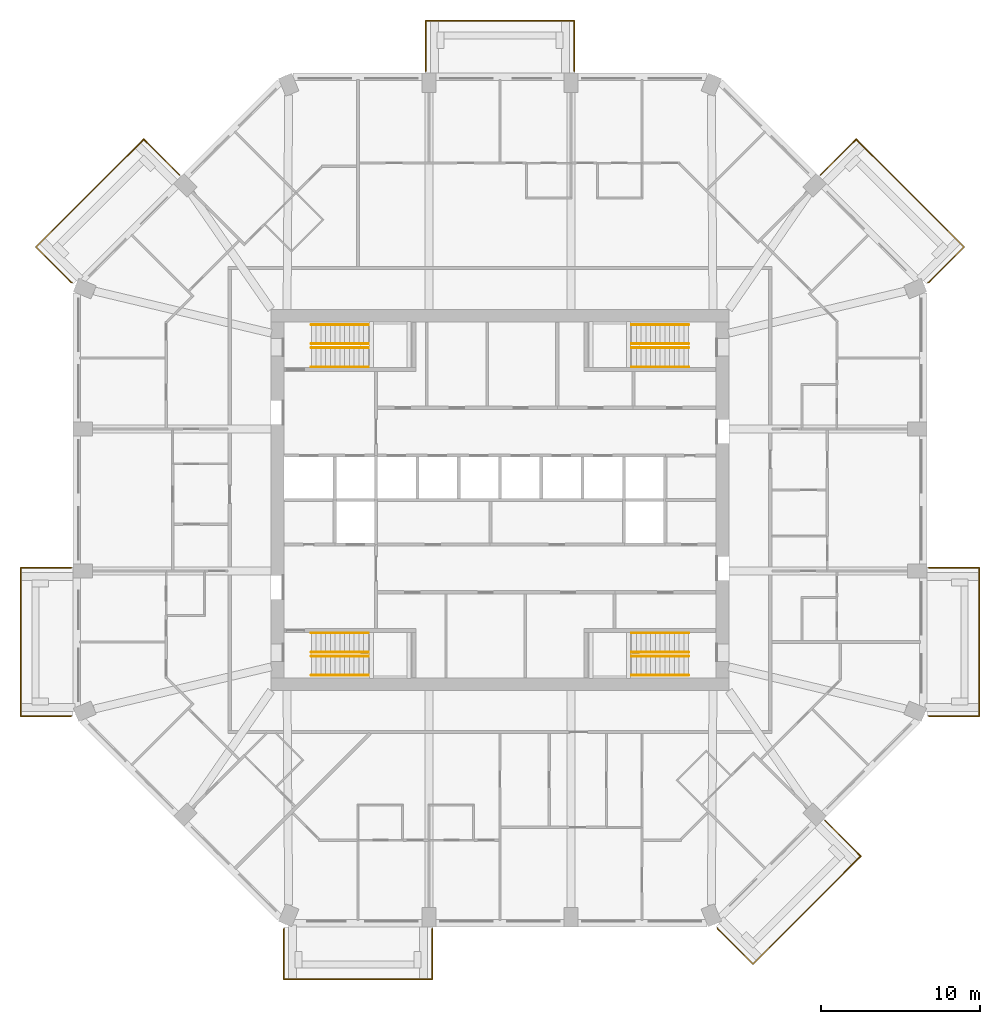
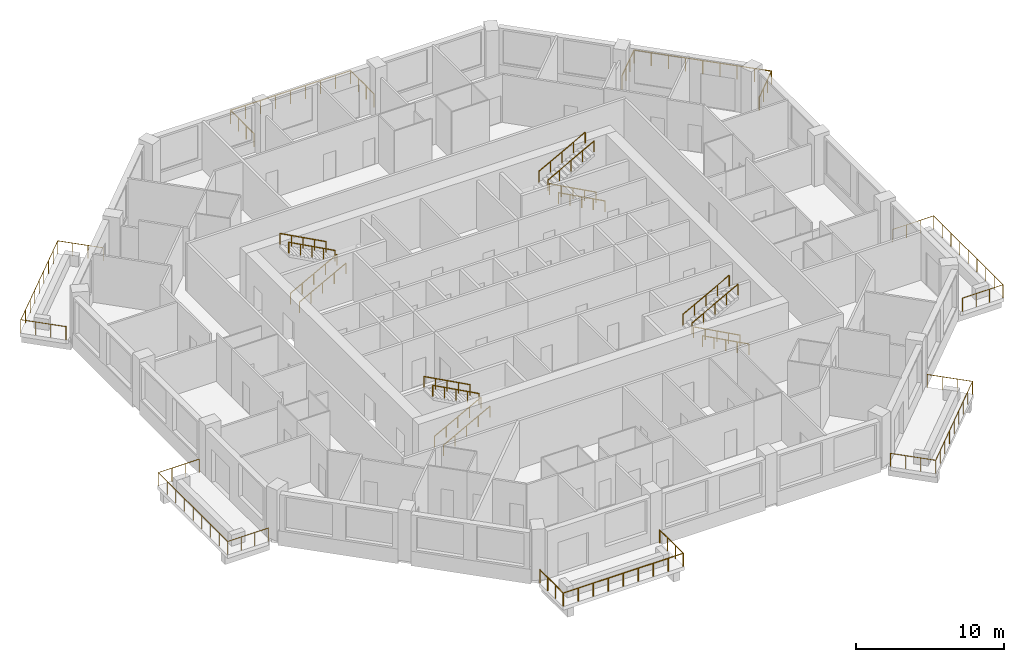
# One storey, part 12 of 12: 23 railings.
"""IFC4 building model written with IfcOpenShell, lengths in metres."""

from ifc_helpers import new_model, si_unit, direction, frame, origin, origin_2d, place, context, subcontext, project, spatial, circle, extrude, material, constituent, constituent_set, type_object, element, save


model = new_model("IFC4")

# Units and contexts
model_context = context("Model", 3, precision=1e-05, world=origin(), true_north=direction((0.0, 1.0)))
body_context = subcontext(model_context, "Body", "Model", "MODEL_VIEW")
ifc_project = project(units=[si_unit("LENGTHUNIT", "METRE"), si_unit("AREAUNIT", "SQUARE_METRE"), si_unit("VOLUMEUNIT", "CUBIC_METRE"), si_unit("PLANEANGLEUNIT", "RADIAN"), si_unit("MASSUNIT", "GRAM", prefix="KILO")], contexts=[model_context])

# Site, building, storey
site_placement = place(None, origin())
site = spatial("IfcSite", under=ifc_project, at=site_placement, CompositionType="ELEMENT")
building_placement = place(site_placement, origin())
building = spatial("IfcBuilding", under=site, at=building_placement, Name="Msitu Wima Residences", CompositionType="ELEMENT")
storey_placement = place(building_placement, frame((0.0, 0.0, 119.10009765625)))
storey = spatial("IfcBuildingStorey", under=building, at=storey_placement, Name="L27", CompositionType="ELEMENT", Elevation=119.10009765625)

# Railings
ifc_material_1 = material(Name="Steel S355", Category="steel")
ifc_constituent_1 = constituent(ifc_material_1, Name="Steel S355")
ifc_material_2 = material(Name="Weathering patina")
ifc_constituent_2 = constituent(ifc_material_2, Name="Weathering patina")
ifc_constituent_set_1 = constituent_set(constituents=[ifc_constituent_1, ifc_constituent_2], Name="Steel S355")
railing_type_1 = type_object("IfcRailingType", Name="Balcony guard GR1100", PredefinedType="GUARDRAIL", material=ifc_constituent_set_1)
railing_1_placement = place(storey_placement, frame((26.97998046875, -4.2685546875, 0.0)))
element("IfcRailing", 1, at=railing_1_placement, inside=storey, type_object=railing_type_1, Name="Balcony guard E0 L27", PredefinedType="GUARDRAIL", context=body_context, shape_type="SweptSolid", body=[
    extrude(circle(Radius=0.02392578125, at=origin_2d()), frame((0.0, 0.0, 1.076171875), z_axis=(1.0, 0.0, 0.0), x_axis=(0.0, 1.0, 0.0)), (0.0, 0.0, 1.0), 3.169921875),
    extrude(circle(Radius=0.02392578125, at=origin_2d()), frame((3.169921875, 0.0, 1.076171875), z_axis=(0.0, -1.0, 0.0), x_axis=(1.0, 0.0, 0.0)), (0.0, 0.0, 1.0), 9.33740234375),
    extrude(circle(Radius=0.02392578125, at=origin_2d()), frame((3.169921875, -9.33740234375, 1.076171875), z_axis=(-1.0, 0.0, 0.0), x_axis=(0.0, -1.0, 0.0)), (0.0, 0.0, 1.0), 3.136474609375),
    extrude(circle(Radius=0.02392578125, at=origin_2d()), frame((0.033447265625, -9.33740234375, 1.076171875), z_axis=(-0.923276184907, 0.384136806859, 0.0), x_axis=(-0.384136806859, -0.923276184907, 0.0)), (0.0, 0.0, 1.0), 0.0361328125),
    extrude(circle(Radius=0.02099609375, at=origin_2d()), origin(), (0.0, 0.0, 1.0), 1.052001953125),
    extrude(circle(Radius=0.02099609375, at=origin_2d()), frame((1.056640625, 0.0, 0.0)), (0.0, 0.0, 1.0), 1.052001953125),
    extrude(circle(Radius=0.02099609375, at=origin_2d()), frame((2.11328125, 0.0, 0.0)), (0.0, 0.0, 1.0), 1.052001953125),
    extrude(circle(Radius=0.02099609375, at=origin_2d()), frame((3.169921875, 0.0, 0.0)), (0.0, 0.0, 1.0), 1.052001953125),
    extrude(circle(Radius=0.02099609375, at=origin_2d()), frame((3.169921875, -1.167236328125, 0.0)), (0.0, 0.0, 1.0), 1.052001953125),
    extrude(circle(Radius=0.02099609375, at=origin_2d()), frame((3.169921875, -2.33447265625, 0.0)), (0.0, 0.0, 1.0), 1.052001953125),
    extrude(circle(Radius=0.02099609375, at=origin_2d()), frame((3.169921875, -3.50146484375, 0.0)), (0.0, 0.0, 1.0), 1.052001953125),
    extrude(circle(Radius=0.02099609375, at=origin_2d()), frame((3.169921875, -4.668701171875, 0.0)), (0.0, 0.0, 1.0), 1.052001953125),
    extrude(circle(Radius=0.02099609375, at=origin_2d()), frame((3.169921875, -5.8359375, 0.0)), (0.0, 0.0, 1.0), 1.052001953125),
    extrude(circle(Radius=0.02099609375, at=origin_2d()), frame((3.169921875, -7.0029296875, 0.0)), (0.0, 0.0, 1.0), 1.052001953125),
    extrude(circle(Radius=0.02099609375, at=origin_2d()), frame((3.169921875, -8.170166015625, 0.0)), (0.0, 0.0, 1.0), 1.052001953125),
    extrude(circle(Radius=0.02099609375, at=origin_2d()), frame((3.169921875, -9.33740234375, 0.0)), (0.0, 0.0, 1.0), 1.052001953125),
    extrude(circle(Radius=0.02099609375, at=origin_2d()), frame((2.12451171875, -9.33740234375, 0.0)), (0.0, 0.0, 1.0), 1.052001953125),
    extrude(circle(Radius=0.02099609375, at=origin_2d()), frame((1.078857421875, -9.33740234375, 0.0)), (0.0, 0.0, 1.0), 1.052001953125),
    extrude(circle(Radius=0.02099609375, at=origin_2d()), frame((0.033447265625, -9.33740234375, 0.0)), (0.0, 0.0, 1.0), 1.052001953125),
    extrude(circle(Radius=0.02099609375, at=origin_2d()), frame((0.0, -9.323486328125, 0.0)), (0.0, 0.0, 1.0), 1.052001953125),
])
railing_2_placement = place(storey_placement, frame((20.171630859375, 20.45458984375, 0.0)))
element("IfcRailing", 2, at=railing_2_placement, inside=storey, type_object=railing_type_1, Name="Balcony guard NE0 L27", PredefinedType="GUARDRAIL", context=body_context, shape_type="SweptSolid", body=[
    extrude(circle(Radius=0.02392578125, at=origin_2d()), frame((0.0, 0.0, 1.076171875), z_axis=(0.707106781187, 0.707106781187, 0.0), x_axis=(-0.707106781187, 0.707106781187, 0.0)), (0.0, 0.0, 1.0), 3.169921875),
    extrude(circle(Radius=0.02392578125, at=origin_2d()), frame((2.241455078125, 2.241455078125, 1.076171875), z_axis=(0.707106781187, -0.707106781187, 0.0), x_axis=(0.707106781187, 0.707106781187, 0.0)), (0.0, 0.0, 1.0), 9.58837890625),
    extrude(circle(Radius=0.02392578125, at=origin_2d()), frame((9.021484375, -4.53857421875, 1.076171875), z_axis=(-0.707106781187, -0.707106781187, 0.0), x_axis=(0.707106781187, -0.707106781187, 0.0)), (0.0, 0.0, 1.0), 3.136474609375),
    extrude(circle(Radius=0.02392578125, at=origin_2d()), frame((6.8037109375, -6.75634765625, 1.076171875), z_axis=(-0.92426142649, -0.38176015442, 0.0), x_axis=(0.38176015442, -0.92426142649, 0.0)), (0.0, 0.0, 1.0), 0.036376953125),
    extrude(circle(Radius=0.02099609375, at=origin_2d()), origin(), (0.0, 0.0, 1.0), 1.052001953125),
    extrude(circle(Radius=0.02099609375, at=origin_2d()), frame((0.7470703125, 0.7470703125, 0.0)), (0.0, 0.0, 1.0), 1.052001953125),
    extrude(circle(Radius=0.02099609375, at=origin_2d()), frame((1.494384765625, 1.494384765625, 0.0)), (0.0, 0.0, 1.0), 1.052001953125),
    extrude(circle(Radius=0.02099609375, at=origin_2d()), frame((2.241455078125, 2.241455078125, 0.0)), (0.0, 0.0, 1.0), 1.052001953125),
    extrude(circle(Radius=0.02099609375, at=origin_2d()), frame((3.0888671875, 1.39404296875, 0.0)), (0.0, 0.0, 1.0), 1.052001953125),
    extrude(circle(Radius=0.02099609375, at=origin_2d()), frame((3.9365234375, 0.54638671875, 0.0)), (0.0, 0.0, 1.0), 1.052001953125),
    extrude(circle(Radius=0.02099609375, at=origin_2d()), frame((4.783935546875, -0.301025390625, 0.0)), (0.0, 0.0, 1.0), 1.052001953125),
    extrude(circle(Radius=0.02099609375, at=origin_2d()), frame((5.63134765625, -1.1484375, 0.0)), (0.0, 0.0, 1.0), 1.052001953125),
    extrude(circle(Radius=0.02099609375, at=origin_2d()), frame((6.47900390625, -1.99609375, 0.0)), (0.0, 0.0, 1.0), 1.052001953125),
    extrude(circle(Radius=0.02099609375, at=origin_2d()), frame((7.326416015625, -2.843505859375, 0.0)), (0.0, 0.0, 1.0), 1.052001953125),
    extrude(circle(Radius=0.02099609375, at=origin_2d()), frame((8.174072265625, -3.691162109375, 0.0)), (0.0, 0.0, 1.0), 1.052001953125),
    extrude(circle(Radius=0.02099609375, at=origin_2d()), frame((9.021484375, -4.53857421875, 0.0)), (0.0, 0.0, 1.0), 1.052001953125),
    extrude(circle(Radius=0.02099609375, at=origin_2d()), frame((8.2822265625, -5.27783203125, 0.0)), (0.0, 0.0, 1.0), 1.052001953125),
    extrude(circle(Radius=0.02099609375, at=origin_2d()), frame((7.54296875, -6.01708984375, 0.0)), (0.0, 0.0, 1.0), 1.052001953125),
    extrude(circle(Radius=0.02099609375, at=origin_2d()), frame((6.8037109375, -6.75634765625, 0.0)), (0.0, 0.0, 1.0), 1.052001953125),
    extrude(circle(Radius=0.02099609375, at=origin_2d()), frame((6.77001953125, -6.770263671875, 0.0)), (0.0, 0.0, 1.0), 1.052001953125),
])
railing_3_placement = place(storey_placement, frame((-4.668701171875, 26.97998046875, 0.0)))
element("IfcRailing", 3, at=railing_3_placement, inside=storey, type_object=railing_type_1, Name="Balcony guard N1 L27", PredefinedType="GUARDRAIL", context=body_context, shape_type="SweptSolid", body=[
    extrude(circle(Radius=0.02392578125, at=origin_2d()), frame((0.0, 0.0, 1.076171875), z_axis=(0.0, 1.0, 0.0), x_axis=(-1.0, 0.0, 0.0)), (0.0, 0.0, 1.0), 3.169921875),
    extrude(circle(Radius=0.02392578125, at=origin_2d()), frame((0.0, 3.169921875, 1.076171875), z_axis=(1.0, 0.0, 0.0), x_axis=(0.0, 1.0, 0.0)), (0.0, 0.0, 1.0), 9.33740234375),
    extrude(circle(Radius=0.02392578125, at=origin_2d()), frame((9.33740234375, 3.169921875, 1.076171875), z_axis=(0.0, -1.0, 0.0), x_axis=(1.0, 0.0, 0.0)), (0.0, 0.0, 1.0), 3.169921875),
    extrude(circle(Radius=0.02099609375, at=origin_2d()), origin(), (0.0, 0.0, 1.0), 1.052001953125),
    extrude(circle(Radius=0.02099609375, at=origin_2d()), frame((0.0, 1.056640625, 0.0)), (0.0, 0.0, 1.0), 1.052001953125),
    extrude(circle(Radius=0.02099609375, at=origin_2d()), frame((0.0, 2.11328125, 0.0)), (0.0, 0.0, 1.0), 1.052001953125),
    extrude(circle(Radius=0.02099609375, at=origin_2d()), frame((0.0, 3.169921875, 0.0)), (0.0, 0.0, 1.0), 1.052001953125),
    extrude(circle(Radius=0.02099609375, at=origin_2d()), frame((1.167236328125, 3.169921875, 0.0)), (0.0, 0.0, 1.0), 1.052001953125),
    extrude(circle(Radius=0.02099609375, at=origin_2d()), frame((2.33447265625, 3.169921875, 0.0)), (0.0, 0.0, 1.0), 1.052001953125),
    extrude(circle(Radius=0.02099609375, at=origin_2d()), frame((3.50146484375, 3.169921875, 0.0)), (0.0, 0.0, 1.0), 1.052001953125),
    extrude(circle(Radius=0.02099609375, at=origin_2d()), frame((4.668701171875, 3.169921875, 0.0)), (0.0, 0.0, 1.0), 1.052001953125),
    extrude(circle(Radius=0.02099609375, at=origin_2d()), frame((5.8359375, 3.169921875, 0.0)), (0.0, 0.0, 1.0), 1.052001953125),
    extrude(circle(Radius=0.02099609375, at=origin_2d()), frame((7.0029296875, 3.169921875, 0.0)), (0.0, 0.0, 1.0), 1.052001953125),
    extrude(circle(Radius=0.02099609375, at=origin_2d()), frame((8.170166015625, 3.169921875, 0.0)), (0.0, 0.0, 1.0), 1.052001953125),
    extrude(circle(Radius=0.02099609375, at=origin_2d()), frame((9.33740234375, 3.169921875, 0.0)), (0.0, 0.0, 1.0), 1.052001953125),
    extrude(circle(Radius=0.02099609375, at=origin_2d()), frame((9.33740234375, 2.11328125, 0.0)), (0.0, 0.0, 1.0), 1.052001953125),
    extrude(circle(Radius=0.02099609375, at=origin_2d()), frame((9.33740234375, 1.056640625, 0.0)), (0.0, 0.0, 1.0), 1.052001953125),
    extrude(circle(Radius=0.02099609375, at=origin_2d()), frame((9.33740234375, 0.0, 0.0)), (0.0, 0.0, 1.0), 1.052001953125),
])
railing_4_placement = place(storey_placement, frame((-26.941650390625, 13.684326171875, 0.0)))
element("IfcRailing", 4, at=railing_4_placement, inside=storey, type_object=railing_type_1, Name="Balcony guard NW1 L27", PredefinedType="GUARDRAIL", context=body_context, shape_type="SweptSolid", body=[
    extrude(circle(Radius=0.02392578125, at=origin_2d()), frame((0.0, 0.0, 1.076171875), z_axis=(-0.92426142649, 0.38176015442, 0.0), x_axis=(-0.38176015442, -0.92426142649, 0.0)), (0.0, 0.0, 1.0), 0.036376953125),
    extrude(circle(Radius=0.02392578125, at=origin_2d()), frame((-0.03369140625, 0.013916015625, 1.076171875), z_axis=(-0.707106781187, 0.707106781187, 0.0), x_axis=(-0.707106781187, -0.707106781187, 0.0)), (0.0, 0.0, 1.0), 3.136474609375),
    extrude(circle(Radius=0.02392578125, at=origin_2d()), frame((-2.25146484375, 2.231689453125, 1.076171875), z_axis=(0.707106781187, 0.707106781187, 0.0), x_axis=(-0.707106781187, 0.707106781187, 0.0)), (0.0, 0.0, 1.0), 9.58837890625),
    extrude(circle(Radius=0.02392578125, at=origin_2d()), frame((4.528564453125, 9.01171875, 1.076171875), z_axis=(0.707106781187, -0.707106781187, 0.0), x_axis=(0.707106781187, 0.707106781187, 0.0)), (0.0, 0.0, 1.0), 3.169921875),
    extrude(circle(Radius=0.02099609375, at=origin_2d()), origin(), (0.0, 0.0, 1.0), 1.052001953125),
    extrude(circle(Radius=0.02099609375, at=origin_2d()), frame((-0.03369140625, 0.013916015625, 0.0)), (0.0, 0.0, 1.0), 1.052001953125),
    extrude(circle(Radius=0.02099609375, at=origin_2d()), frame((-0.77294921875, 0.753173828125, 0.0)), (0.0, 0.0, 1.0), 1.052001953125),
    extrude(circle(Radius=0.02099609375, at=origin_2d()), frame((-1.51220703125, 1.492431640625, 0.0)), (0.0, 0.0, 1.0), 1.052001953125),
    extrude(circle(Radius=0.02099609375, at=origin_2d()), frame((-2.25146484375, 2.231689453125, 0.0)), (0.0, 0.0, 1.0), 1.052001953125),
    extrude(circle(Radius=0.02099609375, at=origin_2d()), frame((-1.404052734375, 3.0791015625, 0.0)), (0.0, 0.0, 1.0), 1.052001953125),
    extrude(circle(Radius=0.02099609375, at=origin_2d()), frame((-0.556396484375, 3.9267578125, 0.0)), (0.0, 0.0, 1.0), 1.052001953125),
    extrude(circle(Radius=0.02099609375, at=origin_2d()), frame((0.291015625, 4.774169921875, 0.0)), (0.0, 0.0, 1.0), 1.052001953125),
    extrude(circle(Radius=0.02099609375, at=origin_2d()), frame((1.138671875, 5.62158203125, 0.0)), (0.0, 0.0, 1.0), 1.052001953125),
    extrude(circle(Radius=0.02099609375, at=origin_2d()), frame((1.986083984375, 6.46923828125, 0.0)), (0.0, 0.0, 1.0), 1.052001953125),
    extrude(circle(Radius=0.02099609375, at=origin_2d()), frame((2.83349609375, 7.316650390625, 0.0)), (0.0, 0.0, 1.0), 1.052001953125),
    extrude(circle(Radius=0.02099609375, at=origin_2d()), frame((3.68115234375, 8.164306640625, 0.0)), (0.0, 0.0, 1.0), 1.052001953125),
    extrude(circle(Radius=0.02099609375, at=origin_2d()), frame((4.528564453125, 9.01171875, 0.0)), (0.0, 0.0, 1.0), 1.052001953125),
    extrude(circle(Radius=0.02099609375, at=origin_2d()), frame((5.275634765625, 8.2646484375, 0.0)), (0.0, 0.0, 1.0), 1.052001953125),
    extrude(circle(Radius=0.02099609375, at=origin_2d()), frame((6.02294921875, 7.517333984375, 0.0)), (0.0, 0.0, 1.0), 1.052001953125),
    extrude(circle(Radius=0.02099609375, at=origin_2d()), frame((6.77001953125, 6.770263671875, 0.0)), (0.0, 0.0, 1.0), 1.052001953125),
])
railing_5_placement = place(storey_placement, frame((-26.97998046875, -13.592041015625, 0.0)))
element("IfcRailing", 5, at=railing_5_placement, inside=storey, type_object=railing_type_1, Name="Balcony guard W2 L27", PredefinedType="GUARDRAIL", context=body_context, shape_type="SweptSolid", body=[
    extrude(circle(Radius=0.02392578125, at=origin_2d()), frame((0.0, 0.0, 1.076171875), z_axis=(-0.923276184907, -0.384136806859, 0.0), x_axis=(0.384136806859, -0.923276184907, 0.0)), (0.0, 0.0, 1.0), 0.0361328125),
    extrude(circle(Radius=0.02392578125, at=origin_2d()), frame((-0.033447265625, -0.013916015625, 1.076171875), z_axis=(-1.0, 0.0, 0.0), x_axis=(0.0, -1.0, 0.0)), (0.0, 0.0, 1.0), 3.136474609375),
    extrude(circle(Radius=0.02392578125, at=origin_2d()), frame((-3.169921875, -0.013916015625, 1.076171875), z_axis=(0.0, 1.0, 0.0), x_axis=(-1.0, 0.0, 0.0)), (0.0, 0.0, 1.0), 9.33740234375),
    extrude(circle(Radius=0.02392578125, at=origin_2d()), frame((-3.169921875, 9.323486328125, 1.076171875), z_axis=(1.0, 0.0, 0.0), x_axis=(0.0, 1.0, 0.0)), (0.0, 0.0, 1.0), 3.169921875),
    extrude(circle(Radius=0.02099609375, at=origin_2d()), origin(), (0.0, 0.0, 1.0), 1.052001953125),
    extrude(circle(Radius=0.02099609375, at=origin_2d()), frame((-0.033447265625, -0.013916015625, 0.0)), (0.0, 0.0, 1.0), 1.052001953125),
    extrude(circle(Radius=0.02099609375, at=origin_2d()), frame((-1.078857421875, -0.013916015625, 0.0)), (0.0, 0.0, 1.0), 1.052001953125),
    extrude(circle(Radius=0.02099609375, at=origin_2d()), frame((-2.12451171875, -0.013916015625, 0.0)), (0.0, 0.0, 1.0), 1.052001953125),
    extrude(circle(Radius=0.02099609375, at=origin_2d()), frame((-3.169921875, -0.013916015625, 0.0)), (0.0, 0.0, 1.0), 1.052001953125),
    extrude(circle(Radius=0.02099609375, at=origin_2d()), frame((-3.169921875, 1.1533203125, 0.0)), (0.0, 0.0, 1.0), 1.052001953125),
    extrude(circle(Radius=0.02099609375, at=origin_2d()), frame((-3.169921875, 2.3203125, 0.0)), (0.0, 0.0, 1.0), 1.052001953125),
    extrude(circle(Radius=0.02099609375, at=origin_2d()), frame((-3.169921875, 3.487548828125, 0.0)), (0.0, 0.0, 1.0), 1.052001953125),
    extrude(circle(Radius=0.02099609375, at=origin_2d()), frame((-3.169921875, 4.65478515625, 0.0)), (0.0, 0.0, 1.0), 1.052001953125),
    extrude(circle(Radius=0.02099609375, at=origin_2d()), frame((-3.169921875, 5.822021484375, 0.0)), (0.0, 0.0, 1.0), 1.052001953125),
    extrude(circle(Radius=0.02099609375, at=origin_2d()), frame((-3.169921875, 6.9892578125, 0.0)), (0.0, 0.0, 1.0), 1.052001953125),
    extrude(circle(Radius=0.02099609375, at=origin_2d()), frame((-3.169921875, 8.15625, 0.0)), (0.0, 0.0, 1.0), 1.052001953125),
    extrude(circle(Radius=0.02099609375, at=origin_2d()), frame((-3.169921875, 9.323486328125, 0.0)), (0.0, 0.0, 1.0), 1.052001953125),
    extrude(circle(Radius=0.02099609375, at=origin_2d()), frame((-2.11328125, 9.323486328125, 0.0)), (0.0, 0.0, 1.0), 1.052001953125),
    extrude(circle(Radius=0.02099609375, at=origin_2d()), frame((-1.056640625, 9.323486328125, 0.0)), (0.0, 0.0, 1.0), 1.052001953125),
    extrude(circle(Radius=0.02099609375, at=origin_2d()), frame((0.0, 9.323486328125, 0.0)), (0.0, 0.0, 1.0), 1.052001953125),
])
railing_6_placement = place(storey_placement, frame((-4.2685546875, -26.97998046875, 0.0)))
element("IfcRailing", 6, at=railing_6_placement, inside=storey, type_object=railing_type_1, Name="Balcony guard S0 L27", PredefinedType="GUARDRAIL", context=body_context, shape_type="SweptSolid", body=[
    extrude(circle(Radius=0.02392578125, at=origin_2d()), frame((0.0, 0.0, 1.076171875), z_axis=(0.0, -1.0, 0.0), x_axis=(1.0, 0.0, 0.0)), (0.0, 0.0, 1.0), 3.169921875),
    extrude(circle(Radius=0.02392578125, at=origin_2d()), frame((0.0, -3.169921875, 1.076171875), z_axis=(-1.0, 0.0, 0.0), x_axis=(0.0, -1.0, 0.0)), (0.0, 0.0, 1.0), 9.33740234375),
    extrude(circle(Radius=0.02392578125, at=origin_2d()), frame((-9.33740234375, -3.169921875, 1.076171875), z_axis=(0.0, 1.0, 0.0), x_axis=(-1.0, 0.0, 0.0)), (0.0, 0.0, 1.0), 3.136474609375),
    extrude(circle(Radius=0.02392578125, at=origin_2d()), frame((-9.33740234375, -0.033447265625, 1.076171875), z_axis=(0.384136806859, 0.923276184907, 0.0), x_axis=(-0.923276184907, 0.384136806859, 0.0)), (0.0, 0.0, 1.0), 0.0361328125),
    extrude(circle(Radius=0.02099609375, at=origin_2d()), origin(), (0.0, 0.0, 1.0), 1.052001953125),
    extrude(circle(Radius=0.02099609375, at=origin_2d()), frame((0.0, -1.056640625, 0.0)), (0.0, 0.0, 1.0), 1.052001953125),
    extrude(circle(Radius=0.02099609375, at=origin_2d()), frame((0.0, -2.11328125, 0.0)), (0.0, 0.0, 1.0), 1.052001953125),
    extrude(circle(Radius=0.02099609375, at=origin_2d()), frame((0.0, -3.169921875, 0.0)), (0.0, 0.0, 1.0), 1.052001953125),
    extrude(circle(Radius=0.02099609375, at=origin_2d()), frame((-1.167236328125, -3.169921875, 0.0)), (0.0, 0.0, 1.0), 1.052001953125),
    extrude(circle(Radius=0.02099609375, at=origin_2d()), frame((-2.33447265625, -3.169921875, 0.0)), (0.0, 0.0, 1.0), 1.052001953125),
    extrude(circle(Radius=0.02099609375, at=origin_2d()), frame((-3.50146484375, -3.169921875, 0.0)), (0.0, 0.0, 1.0), 1.052001953125),
    extrude(circle(Radius=0.02099609375, at=origin_2d()), frame((-4.668701171875, -3.169921875, 0.0)), (0.0, 0.0, 1.0), 1.052001953125),
    extrude(circle(Radius=0.02099609375, at=origin_2d()), frame((-5.8359375, -3.169921875, 0.0)), (0.0, 0.0, 1.0), 1.052001953125),
    extrude(circle(Radius=0.02099609375, at=origin_2d()), frame((-7.0029296875, -3.169921875, 0.0)), (0.0, 0.0, 1.0), 1.052001953125),
    extrude(circle(Radius=0.02099609375, at=origin_2d()), frame((-8.170166015625, -3.169921875, 0.0)), (0.0, 0.0, 1.0), 1.052001953125),
    extrude(circle(Radius=0.02099609375, at=origin_2d()), frame((-9.33740234375, -3.169921875, 0.0)), (0.0, 0.0, 1.0), 1.052001953125),
    extrude(circle(Radius=0.02099609375, at=origin_2d()), frame((-9.33740234375, -2.12451171875, 0.0)), (0.0, 0.0, 1.0), 1.052001953125),
    extrude(circle(Radius=0.02099609375, at=origin_2d()), frame((-9.33740234375, -1.078857421875, 0.0)), (0.0, 0.0, 1.0), 1.052001953125),
    extrude(circle(Radius=0.02099609375, at=origin_2d()), frame((-9.33740234375, -0.033447265625, 0.0)), (0.0, 0.0, 1.0), 1.052001953125),
    extrude(circle(Radius=0.02099609375, at=origin_2d()), frame((-9.323486328125, 0.0, 0.0)), (0.0, 0.0, 1.0), 1.052001953125),
])
railing_7_placement = place(storey_placement, frame((20.45458984375, -20.171630859375, 0.0)))
element("IfcRailing", 7, at=railing_7_placement, inside=storey, type_object=railing_type_1, Name="Balcony guard SE0 L27", PredefinedType="GUARDRAIL", context=body_context, shape_type="SweptSolid", body=[
    extrude(circle(Radius=0.02392578125, at=origin_2d()), frame((0.0, 0.0, 1.076171875), z_axis=(0.707106781187, -0.707106781187, 0.0), x_axis=(0.707106781187, 0.707106781187, 0.0)), (0.0, 0.0, 1.0), 3.169921875),
    extrude(circle(Radius=0.02392578125, at=origin_2d()), frame((2.241455078125, -2.241455078125, 1.076171875), z_axis=(-0.707106781187, -0.707106781187, 0.0), x_axis=(0.707106781187, -0.707106781187, 0.0)), (0.0, 0.0, 1.0), 9.58837890625),
    extrude(circle(Radius=0.02392578125, at=origin_2d()), frame((-4.53857421875, -9.021484375, 1.076171875), z_axis=(-0.707106781187, 0.707106781187, 0.0), x_axis=(-0.707106781187, -0.707106781187, 0.0)), (0.0, 0.0, 1.0), 3.136474609375),
    extrude(circle(Radius=0.02392578125, at=origin_2d()), frame((-6.75634765625, -6.8037109375, 1.076171875), z_axis=(-0.38176015442, 0.92426142649, 0.0), x_axis=(-0.92426142649, -0.38176015442, 0.0)), (0.0, 0.0, 1.0), 0.036376953125),
    extrude(circle(Radius=0.02099609375, at=origin_2d()), origin(), (0.0, 0.0, 1.0), 1.052001953125),
    extrude(circle(Radius=0.02099609375, at=origin_2d()), frame((0.7470703125, -0.7470703125, 0.0)), (0.0, 0.0, 1.0), 1.052001953125),
    extrude(circle(Radius=0.02099609375, at=origin_2d()), frame((1.494384765625, -1.494384765625, 0.0)), (0.0, 0.0, 1.0), 1.052001953125),
    extrude(circle(Radius=0.02099609375, at=origin_2d()), frame((2.241455078125, -2.241455078125, 0.0)), (0.0, 0.0, 1.0), 1.052001953125),
    extrude(circle(Radius=0.02099609375, at=origin_2d()), frame((1.39404296875, -3.0888671875, 0.0)), (0.0, 0.0, 1.0), 1.052001953125),
    extrude(circle(Radius=0.02099609375, at=origin_2d()), frame((0.54638671875, -3.9365234375, 0.0)), (0.0, 0.0, 1.0), 1.052001953125),
    extrude(circle(Radius=0.02099609375, at=origin_2d()), frame((-0.301025390625, -4.783935546875, 0.0)), (0.0, 0.0, 1.0), 1.052001953125),
    extrude(circle(Radius=0.02099609375, at=origin_2d()), frame((-1.1484375, -5.63134765625, 0.0)), (0.0, 0.0, 1.0), 1.052001953125),
    extrude(circle(Radius=0.02099609375, at=origin_2d()), frame((-1.99609375, -6.47900390625, 0.0)), (0.0, 0.0, 1.0), 1.052001953125),
    extrude(circle(Radius=0.02099609375, at=origin_2d()), frame((-2.843505859375, -7.326416015625, 0.0)), (0.0, 0.0, 1.0), 1.052001953125),
    extrude(circle(Radius=0.02099609375, at=origin_2d()), frame((-3.691162109375, -8.174072265625, 0.0)), (0.0, 0.0, 1.0), 1.052001953125),
    extrude(circle(Radius=0.02099609375, at=origin_2d()), frame((-4.53857421875, -9.021484375, 0.0)), (0.0, 0.0, 1.0), 1.052001953125),
    extrude(circle(Radius=0.02099609375, at=origin_2d()), frame((-5.27783203125, -8.2822265625, 0.0)), (0.0, 0.0, 1.0), 1.052001953125),
    extrude(circle(Radius=0.02099609375, at=origin_2d()), frame((-6.01708984375, -7.54296875, 0.0)), (0.0, 0.0, 1.0), 1.052001953125),
    extrude(circle(Radius=0.02099609375, at=origin_2d()), frame((-6.75634765625, -6.8037109375, 0.0)), (0.0, 0.0, 1.0), 1.052001953125),
    extrude(circle(Radius=0.02099609375, at=origin_2d()), frame((-6.770263671875, -6.77001953125, 0.0)), (0.0, 0.0, 1.0), 1.052001953125),
])
ifc_constituent_3 = constituent(ifc_material_1, Name="Steel S355")
ifc_material_3 = material(Name="Black powder coating")
ifc_constituent_4 = constituent(ifc_material_3, Name="Black powder coating")
ifc_constituent_set_2 = constituent_set(constituents=[ifc_constituent_3, ifc_constituent_4], Name="Steel S355")
railing_type_2 = type_object("IfcRailingType", Name="Stair handrail HR1", PredefinedType="HANDRAIL", material=ifc_constituent_set_2)
for number, where, name in (
    (8, (-11.875, 8.375, 0.161376953125), "Stair 1 handrail"),
    (9, (-11.875, 9.574951171875, 0.161376953125), "Stair 1 handrail"),
):
    element("IfcRailing", number, at=place(storey_placement, frame(where)), inside=storey, type_object=railing_type_2, Name=name, PredefinedType="HANDRAIL", context=body_context, shape_type="SweptSolid", body=[
        extrude(circle(Radius=0.02392578125, at=origin_2d()), frame((0.0, 0.0, 0.8759765625), z_axis=(0.880474934443, 0.0, 0.474092701714), x_axis=(0.0, 1.0, 0.0)), (0.0, 0.0, 1.0), 4.0888671875),
        extrude(circle(Radius=0.02099609375, at=origin_2d()), origin(), (0.0, 0.0, 1.0), 0.851806640625),
        extrude(circle(Radius=0.02099609375, at=origin_2d()), frame((0.89990234375, 0.0, 0.484619140625)), (0.0, 0.0, 1.0), 0.851806640625),
        extrude(circle(Radius=0.02099609375, at=origin_2d()), frame((1.800048828125, 0.0, 0.96923828125)), (0.0, 0.0, 1.0), 0.851806640625),
        extrude(circle(Radius=0.02099609375, at=origin_2d()), frame((2.7001953125, 0.0, 1.453857421875)), (0.0, 0.0, 1.0), 0.851806640625),
        extrude(circle(Radius=0.02099609375, at=origin_2d()), frame((3.60009765625, 0.0, 1.9384765625)), (0.0, 0.0, 1.0), 0.851806640625),
    ])
for number, where, name in (
    (10, (-8.27490234375, 9.824951171875, 2.261474609375), "Stair 1 handrail"),
    (11, (-8.27490234375, 11.02490234375, 2.261474609375), "Stair 1 handrail"),
):
    element("IfcRailing", number, at=place(storey_placement, frame(where)), inside=storey, type_object=railing_type_2, Name=name, PredefinedType="HANDRAIL", context=body_context, shape_type="SweptSolid", body=[
        extrude(circle(Radius=0.02392578125, at=origin_2d()), frame((0.0, 0.0, 0.8759765625), z_axis=(-0.880474934443, 0.0, 0.474092701714), x_axis=(0.0, -1.0, 0.0)), (0.0, 0.0, 1.0), 4.0888671875),
        extrude(circle(Radius=0.02099609375, at=origin_2d()), origin(), (0.0, 0.0, 1.0), 0.851806640625),
        extrude(circle(Radius=0.02099609375, at=origin_2d()), frame((-0.89990234375, 0.0, 0.484619140625)), (0.0, 0.0, 1.0), 0.851806640625),
        extrude(circle(Radius=0.02099609375, at=origin_2d()), frame((-1.800048828125, 0.0, 0.96923828125)), (0.0, 0.0, 1.0), 0.851806640625),
        extrude(circle(Radius=0.02099609375, at=origin_2d()), frame((-2.7001953125, 0.0, 1.453857421875)), (0.0, 0.0, 1.0), 0.851806640625),
        extrude(circle(Radius=0.02099609375, at=origin_2d()), frame((-3.60009765625, 0.0, 1.9384765625)), (0.0, 0.0, 1.0), 0.851806640625),
    ])
for number, where, name in (
    (12, (-11.875, -11.02490234375, 0.161376953125), "Stair 2 handrail"),
    (13, (-11.875, -9.824951171875, 0.161376953125), "Stair 2 handrail"),
):
    element("IfcRailing", number, at=place(storey_placement, frame(where)), inside=storey, type_object=railing_type_2, Name=name, PredefinedType="HANDRAIL", context=body_context, shape_type="SweptSolid", body=[
        extrude(circle(Radius=0.02392578125, at=origin_2d()), frame((0.0, 0.0, 0.8759765625), z_axis=(0.880474934443, 0.0, 0.474092701714), x_axis=(0.0, 1.0, 0.0)), (0.0, 0.0, 1.0), 4.0888671875),
        extrude(circle(Radius=0.02099609375, at=origin_2d()), origin(), (0.0, 0.0, 1.0), 0.851806640625),
        extrude(circle(Radius=0.02099609375, at=origin_2d()), frame((0.89990234375, 0.0, 0.484619140625)), (0.0, 0.0, 1.0), 0.851806640625),
        extrude(circle(Radius=0.02099609375, at=origin_2d()), frame((1.800048828125, 0.0, 0.96923828125)), (0.0, 0.0, 1.0), 0.851806640625),
        extrude(circle(Radius=0.02099609375, at=origin_2d()), frame((2.7001953125, 0.0, 1.453857421875)), (0.0, 0.0, 1.0), 0.851806640625),
        extrude(circle(Radius=0.02099609375, at=origin_2d()), frame((3.60009765625, 0.0, 1.9384765625)), (0.0, 0.0, 1.0), 0.851806640625),
    ])
for number, where, name in (
    (14, (-8.27490234375, -9.574951171875, 2.261474609375), "Stair 2 handrail"),
    (15, (-8.27490234375, -8.375, 2.261474609375), "Stair 2 handrail"),
    (16, (11.875, 8.375, 0.161376953125), "Stair 3 handrail"),
    (17, (11.875, 9.574951171875, 0.161376953125), "Stair 3 handrail"),
):
    element("IfcRailing", number, at=place(storey_placement, frame(where)), inside=storey, type_object=railing_type_2, Name=name, PredefinedType="HANDRAIL", context=body_context, shape_type="SweptSolid", body=[
        extrude(circle(Radius=0.02392578125, at=origin_2d()), frame((0.0, 0.0, 0.8759765625), z_axis=(-0.880474934443, 0.0, 0.474092701714), x_axis=(0.0, -1.0, 0.0)), (0.0, 0.0, 1.0), 4.0888671875),
        extrude(circle(Radius=0.02099609375, at=origin_2d()), origin(), (0.0, 0.0, 1.0), 0.851806640625),
        extrude(circle(Radius=0.02099609375, at=origin_2d()), frame((-0.89990234375, 0.0, 0.484619140625)), (0.0, 0.0, 1.0), 0.851806640625),
        extrude(circle(Radius=0.02099609375, at=origin_2d()), frame((-1.800048828125, 0.0, 0.96923828125)), (0.0, 0.0, 1.0), 0.851806640625),
        extrude(circle(Radius=0.02099609375, at=origin_2d()), frame((-2.7001953125, 0.0, 1.453857421875)), (0.0, 0.0, 1.0), 0.851806640625),
        extrude(circle(Radius=0.02099609375, at=origin_2d()), frame((-3.60009765625, 0.0, 1.9384765625)), (0.0, 0.0, 1.0), 0.851806640625),
    ])
for number, where, name in (
    (18, (8.27490234375, 9.824951171875, 2.261474609375), "Stair 3 handrail"),
    (19, (8.27490234375, 11.02490234375, 2.261474609375), "Stair 3 handrail"),
):
    element("IfcRailing", number, at=place(storey_placement, frame(where)), inside=storey, type_object=railing_type_2, Name=name, PredefinedType="HANDRAIL", context=body_context, shape_type="SweptSolid", body=[
        extrude(circle(Radius=0.02392578125, at=origin_2d()), frame((0.0, 0.0, 0.8759765625), z_axis=(0.880474934443, 0.0, 0.474092701714), x_axis=(0.0, 1.0, 0.0)), (0.0, 0.0, 1.0), 4.0888671875),
        extrude(circle(Radius=0.02099609375, at=origin_2d()), origin(), (0.0, 0.0, 1.0), 0.851806640625),
        extrude(circle(Radius=0.02099609375, at=origin_2d()), frame((0.89990234375, 0.0, 0.484619140625)), (0.0, 0.0, 1.0), 0.851806640625),
        extrude(circle(Radius=0.02099609375, at=origin_2d()), frame((1.800048828125, 0.0, 0.96923828125)), (0.0, 0.0, 1.0), 0.851806640625),
        extrude(circle(Radius=0.02099609375, at=origin_2d()), frame((2.7001953125, 0.0, 1.453857421875)), (0.0, 0.0, 1.0), 0.851806640625),
        extrude(circle(Radius=0.02099609375, at=origin_2d()), frame((3.60009765625, 0.0, 1.9384765625)), (0.0, 0.0, 1.0), 0.851806640625),
    ])
for number, where, name in (
    (20, (11.875, -11.02490234375, 0.161376953125), "Stair 4 handrail"),
    (21, (11.875, -9.824951171875, 0.161376953125), "Stair 4 handrail"),
):
    element("IfcRailing", number, at=place(storey_placement, frame(where)), inside=storey, type_object=railing_type_2, Name=name, PredefinedType="HANDRAIL", context=body_context, shape_type="SweptSolid", body=[
        extrude(circle(Radius=0.02392578125, at=origin_2d()), frame((0.0, 0.0, 0.8759765625), z_axis=(-0.880474934443, 0.0, 0.474092701714), x_axis=(0.0, -1.0, 0.0)), (0.0, 0.0, 1.0), 4.0888671875),
        extrude(circle(Radius=0.02099609375, at=origin_2d()), origin(), (0.0, 0.0, 1.0), 0.851806640625),
        extrude(circle(Radius=0.02099609375, at=origin_2d()), frame((-0.89990234375, 0.0, 0.484619140625)), (0.0, 0.0, 1.0), 0.851806640625),
        extrude(circle(Radius=0.02099609375, at=origin_2d()), frame((-1.800048828125, 0.0, 0.96923828125)), (0.0, 0.0, 1.0), 0.851806640625),
        extrude(circle(Radius=0.02099609375, at=origin_2d()), frame((-2.7001953125, 0.0, 1.453857421875)), (0.0, 0.0, 1.0), 0.851806640625),
        extrude(circle(Radius=0.02099609375, at=origin_2d()), frame((-3.60009765625, 0.0, 1.9384765625)), (0.0, 0.0, 1.0), 0.851806640625),
    ])
for number, where, name in (
    (22, (8.27490234375, -9.574951171875, 2.261474609375), "Stair 4 handrail"),
    (23, (8.27490234375, -8.375, 2.261474609375), "Stair 4 handrail"),
):
    element("IfcRailing", number, at=place(storey_placement, frame(where)), inside=storey, type_object=railing_type_2, Name=name, PredefinedType="HANDRAIL", context=body_context, shape_type="SweptSolid", body=[
        extrude(circle(Radius=0.02392578125, at=origin_2d()), frame((0.0, 0.0, 0.8759765625), z_axis=(0.880474934443, 0.0, 0.474092701714), x_axis=(0.0, 1.0, 0.0)), (0.0, 0.0, 1.0), 4.0888671875),
        extrude(circle(Radius=0.02099609375, at=origin_2d()), origin(), (0.0, 0.0, 1.0), 0.851806640625),
        extrude(circle(Radius=0.02099609375, at=origin_2d()), frame((0.89990234375, 0.0, 0.484619140625)), (0.0, 0.0, 1.0), 0.851806640625),
        extrude(circle(Radius=0.02099609375, at=origin_2d()), frame((1.800048828125, 0.0, 0.96923828125)), (0.0, 0.0, 1.0), 0.851806640625),
        extrude(circle(Radius=0.02099609375, at=origin_2d()), frame((2.7001953125, 0.0, 1.453857421875)), (0.0, 0.0, 1.0), 0.851806640625),
        extrude(circle(Radius=0.02099609375, at=origin_2d()), frame((3.60009765625, 0.0, 1.9384765625)), (0.0, 0.0, 1.0), 0.851806640625),
    ])

save(model, "model.ifc")
